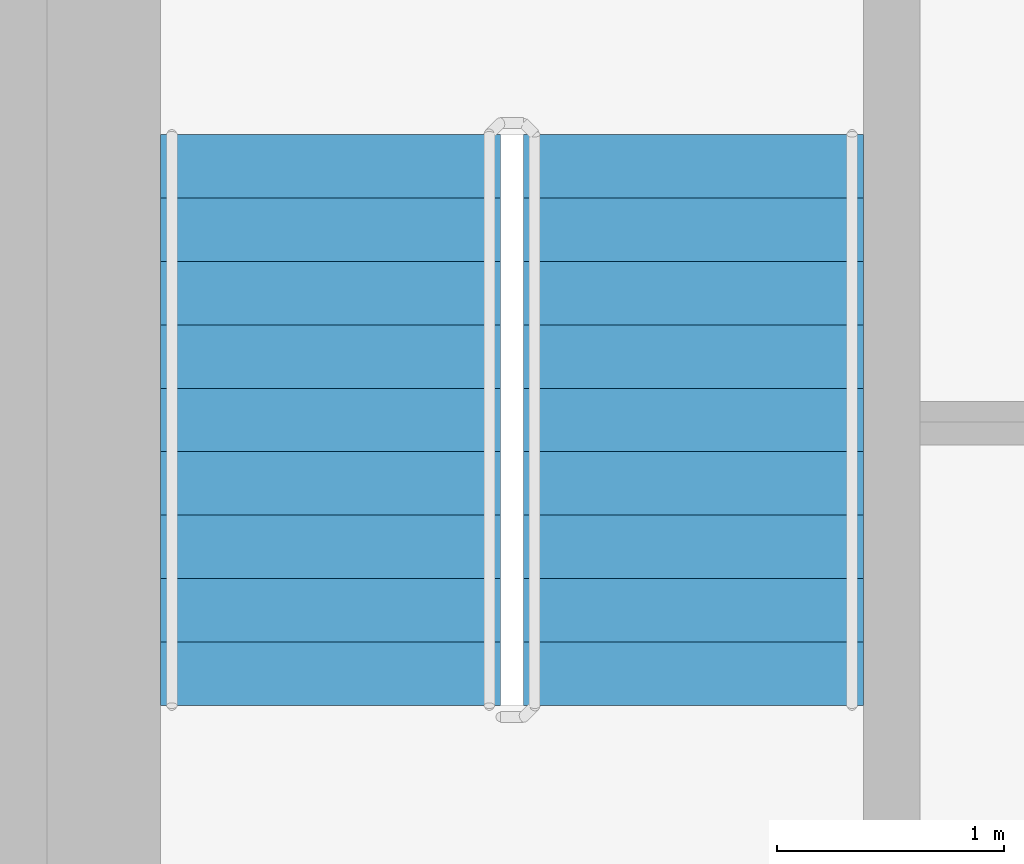
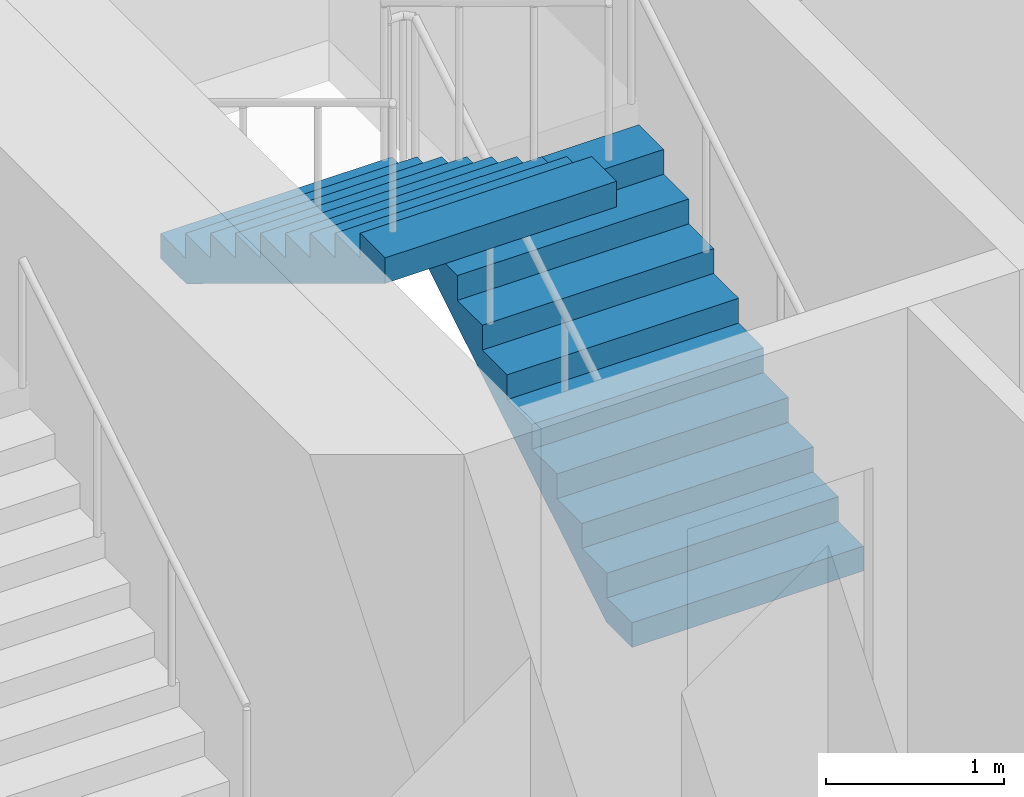
# One storey, part 12 of 18: 2 stair flights, 1 element without a shape of its own.
"""IFC4 building model written with IfcOpenShell, lengths in metres."""

from ifc_helpers import new_model, si_unit, direction, frame, origin, place, context, subcontext, project, spatial, triangles, source, transform, mapped, material, type_object, element, aggregate, save


model = new_model("IFC4")

# Units and contexts
model_context = context("Model", 3, precision=1e-05, world=origin(), true_north=direction((0.0, 1.0)))
body_context = subcontext(model_context, "Body", "Model", "MODEL_VIEW")
ifc_project = project(units=[si_unit("LENGTHUNIT", "METRE"), si_unit("AREAUNIT", "SQUARE_METRE"), si_unit("VOLUMEUNIT", "CUBIC_METRE"), si_unit("PLANEANGLEUNIT", "RADIAN"), si_unit("MASSUNIT", "GRAM", prefix="KILO")], contexts=[model_context])

# Site, building, storey
site_placement = place(None, origin())
site = spatial("IfcSite", under=ifc_project, at=site_placement, CompositionType="ELEMENT")
building_placement = place(site_placement, origin())
building = spatial("IfcBuilding", under=site, at=building_placement, Name="Kilnfold Tower and Market Hall", CompositionType="ELEMENT")
storey_placement = place(building_placement, frame((0.0, 0.0, 249.199951171875)))
storey = spatial("IfcBuildingStorey", under=building, at=storey_placement, Name="L60", CompositionType="ELEMENT", Elevation=249.199951171875)

# Stair, stair flights
ifc_material_1 = material(Name="Concrete C40/50", Category="concrete")
stair_type = type_object("IfcStairType", Name="CORE STAIR 1500", PredefinedType="HALF_TURN_STAIR", material=ifc_material_1)
stair_placement = place(storey_placement, origin())
stair = element("IfcStair", 1, at=stair_placement, inside=storey, type_object=stair_type, Name="L60 ST5", PredefinedType="HALF_TURN_STAIR")
ifc_material_2 = material(Name="Concrete C40/50", Category="concrete")
stair_flight_type = type_object("IfcStairFlightType", Name="CORE STAIR FLIGHT 1500", PredefinedType="STRAIGHT", material=ifc_material_2)
shared_shape = source(origin(), body_context, "Body", "Tessellation", [
    triangles([(0.0, 0.75, 0.0), (0.0, 0.65625, 0.0), (0.0, 0.5625, 0.0), (0.0, 0.46875, 0.0), (0.0, 0.375, 0.0), (0.0, 0.28125, 0.0), (0.0, 0.1875, 0.0), (0.0, 0.09375, 0.0), (0.0, 0.0, 0.0), (0.0, -0.09375, 0.0), (0.0, -0.1875, 0.0), (0.0, -0.28125, 0.0), (0.0, -0.375, 0.0), (0.0, -0.46875, 0.0), (0.0, -0.5625, 0.0), (0.0, -0.65625, 0.0), (0.0, -0.75, 0.0), (0.0, 0.75, 0.169921875), (0.0, 0.65625, 0.169921875), (0.0, 0.5625, 0.169921875), (0.0, 0.46875, 0.169921875), (0.0, 0.375, 0.169921875), (0.0, 0.28125, 0.169921875), (0.0, 0.1875, 0.169921875), (0.0, 0.09375, 0.169921875), (0.0, 0.0, 0.169921875), (0.0, -0.09375, 0.169921875), (0.0, -0.1875, 0.169921875), (0.0, -0.28125, 0.169921875), (0.0, -0.375, 0.169921875), (0.0, -0.46875, 0.169921875), (0.0, -0.5625, 0.169921875), (0.0, -0.65625, 0.169921875), (0.0, -0.75, 0.169921875), (0.280029296875, 0.75, 0.169921875), (0.280029296875, 0.65625, 0.169921875), (0.280029296875, 0.5625, 0.169921875), (0.280029296875, 0.46875, 0.169921875), (0.280029296875, 0.375, 0.169921875), (0.280029296875, 0.28125, 0.169921875), (0.280029296875, 0.1875, 0.169921875), (0.280029296875, 0.09375, 0.169921875), (0.280029296875, 0.0, 0.169921875), (0.280029296875, -0.09375, 0.169921875), (0.280029296875, -0.1875, 0.169921875), (0.280029296875, -0.28125, 0.169921875), (0.280029296875, -0.375, 0.169921875), (0.280029296875, -0.46875, 0.169921875), (0.280029296875, -0.5625, 0.169921875), (0.280029296875, -0.65625, 0.169921875), (0.280029296875, -0.75, 0.169921875), (0.280029296875, 0.75, 0.340087890625), (0.280029296875, 0.65625, 0.340087890625), (0.280029296875, 0.5625, 0.340087890625), (0.280029296875, 0.46875, 0.340087890625), (0.280029296875, 0.375, 0.340087890625), (0.280029296875, 0.28125, 0.340087890625), (0.280029296875, 0.1875, 0.340087890625), (0.280029296875, 0.09375, 0.340087890625), (0.280029296875, 0.0, 0.340087890625), (0.280029296875, -0.09375, 0.340087890625), (0.280029296875, -0.1875, 0.340087890625), (0.280029296875, -0.28125, 0.340087890625), (0.280029296875, -0.375, 0.340087890625), (0.280029296875, -0.46875, 0.340087890625), (0.280029296875, -0.5625, 0.340087890625), (0.280029296875, -0.65625, 0.340087890625), (0.280029296875, -0.75, 0.340087890625), (0.56005859375, 0.75, 0.340087890625), (0.56005859375, 0.65625, 0.340087890625), (0.56005859375, 0.5625, 0.340087890625), (0.56005859375, 0.46875, 0.340087890625), (0.56005859375, 0.375, 0.340087890625), (0.56005859375, 0.28125, 0.340087890625), (0.56005859375, 0.1875, 0.340087890625), (0.56005859375, 0.09375, 0.340087890625), (0.56005859375, 0.0, 0.340087890625), (0.56005859375, -0.09375, 0.340087890625), (0.56005859375, -0.1875, 0.340087890625), (0.56005859375, -0.28125, 0.340087890625), (0.56005859375, -0.375, 0.340087890625), (0.56005859375, -0.46875, 0.340087890625), (0.56005859375, -0.5625, 0.340087890625), (0.56005859375, -0.65625, 0.340087890625), (0.56005859375, -0.75, 0.340087890625), (0.56005859375, 0.75, 0.510009765625), (0.56005859375, 0.65625, 0.510009765625), (0.56005859375, 0.5625, 0.510009765625), (0.56005859375, 0.46875, 0.510009765625), (0.56005859375, 0.375, 0.510009765625), (0.56005859375, 0.28125, 0.510009765625), (0.56005859375, 0.1875, 0.510009765625), (0.56005859375, 0.09375, 0.510009765625), (0.56005859375, 0.0, 0.510009765625), (0.56005859375, -0.09375, 0.510009765625), (0.56005859375, -0.1875, 0.510009765625), (0.56005859375, -0.28125, 0.510009765625), (0.56005859375, -0.375, 0.510009765625), (0.56005859375, -0.46875, 0.510009765625), (0.56005859375, -0.5625, 0.510009765625), (0.56005859375, -0.65625, 0.510009765625), (0.56005859375, -0.75, 0.510009765625), (0.840087890625, 0.75, 0.510009765625), (0.840087890625, 0.65625, 0.510009765625), (0.840087890625, 0.5625, 0.510009765625), (0.840087890625, 0.46875, 0.510009765625), (0.840087890625, 0.375, 0.510009765625), (0.840087890625, 0.28125, 0.510009765625), (0.840087890625, 0.1875, 0.510009765625), (0.840087890625, 0.09375, 0.510009765625), (0.840087890625, 0.0, 0.510009765625), (0.840087890625, -0.09375, 0.510009765625), (0.840087890625, -0.1875, 0.510009765625), (0.840087890625, -0.28125, 0.510009765625), (0.840087890625, -0.375, 0.510009765625), (0.840087890625, -0.46875, 0.510009765625), (0.840087890625, -0.5625, 0.510009765625), (0.840087890625, -0.65625, 0.510009765625), (0.840087890625, -0.75, 0.510009765625), (0.840087890625, 0.75, 0.679931640625), (0.840087890625, 0.65625, 0.679931640625), (0.840087890625, 0.5625, 0.679931640625), (0.840087890625, 0.46875, 0.679931640625), (0.840087890625, 0.375, 0.679931640625), (0.840087890625, 0.28125, 0.679931640625), (0.840087890625, 0.1875, 0.679931640625), (0.840087890625, 0.09375, 0.679931640625), (0.840087890625, 0.0, 0.679931640625), (0.840087890625, -0.09375, 0.679931640625), (0.840087890625, -0.1875, 0.679931640625), (0.840087890625, -0.28125, 0.679931640625), (0.840087890625, -0.375, 0.679931640625), (0.840087890625, -0.46875, 0.679931640625), (0.840087890625, -0.5625, 0.679931640625), (0.840087890625, -0.65625, 0.679931640625), (0.840087890625, -0.75, 0.679931640625), (1.1201171875, 0.75, 0.679931640625), (1.1201171875, 0.65625, 0.679931640625), (1.1201171875, 0.5625, 0.679931640625), (1.1201171875, 0.46875, 0.679931640625), (1.1201171875, 0.375, 0.679931640625), (1.1201171875, 0.28125, 0.679931640625), (1.1201171875, 0.1875, 0.679931640625), (1.1201171875, 0.09375, 0.679931640625), (1.1201171875, 0.0, 0.679931640625), (1.1201171875, -0.09375, 0.679931640625), (1.1201171875, -0.1875, 0.679931640625), (1.1201171875, -0.28125, 0.679931640625), (1.1201171875, -0.375, 0.679931640625), (1.1201171875, -0.46875, 0.679931640625), (1.1201171875, -0.5625, 0.679931640625), (1.1201171875, -0.65625, 0.679931640625), (1.1201171875, -0.75, 0.679931640625), (1.1201171875, 0.75, 0.85009765625), (1.1201171875, 0.65625, 0.85009765625), (1.1201171875, 0.5625, 0.85009765625), (1.1201171875, 0.46875, 0.85009765625), (1.1201171875, 0.375, 0.85009765625), (1.1201171875, 0.28125, 0.85009765625), (1.1201171875, 0.1875, 0.85009765625), (1.1201171875, 0.09375, 0.85009765625), (1.1201171875, 0.0, 0.85009765625), (1.1201171875, -0.09375, 0.85009765625), (1.1201171875, -0.1875, 0.85009765625), (1.1201171875, -0.28125, 0.85009765625), (1.1201171875, -0.375, 0.85009765625), (1.1201171875, -0.46875, 0.85009765625), (1.1201171875, -0.5625, 0.85009765625), (1.1201171875, -0.65625, 0.85009765625), (1.1201171875, -0.75, 0.85009765625), (1.39990234375, 0.75, 0.85009765625), (1.39990234375, 0.65625, 0.85009765625), (1.39990234375, 0.5625, 0.85009765625), (1.39990234375, 0.46875, 0.85009765625), (1.39990234375, 0.375, 0.85009765625), (1.39990234375, 0.28125, 0.85009765625), (1.39990234375, 0.1875, 0.85009765625), (1.39990234375, 0.09375, 0.85009765625), (1.39990234375, 0.0, 0.85009765625), (1.39990234375, -0.09375, 0.85009765625), (1.39990234375, -0.1875, 0.85009765625), (1.39990234375, -0.28125, 0.85009765625), (1.39990234375, -0.375, 0.85009765625), (1.39990234375, -0.46875, 0.85009765625), (1.39990234375, -0.5625, 0.85009765625), (1.39990234375, -0.65625, 0.85009765625), (1.39990234375, -0.75, 0.85009765625), (1.39990234375, 0.75, 1.02001953125), (1.39990234375, 0.65625, 1.02001953125), (1.39990234375, 0.5625, 1.02001953125), (1.39990234375, 0.46875, 1.02001953125), (1.39990234375, 0.375, 1.02001953125), (1.39990234375, 0.28125, 1.02001953125), (1.39990234375, 0.1875, 1.02001953125), (1.39990234375, 0.09375, 1.02001953125), (1.39990234375, 0.0, 1.02001953125), (1.39990234375, -0.09375, 1.02001953125), (1.39990234375, -0.1875, 1.02001953125), (1.39990234375, -0.28125, 1.02001953125), (1.39990234375, -0.375, 1.02001953125), (1.39990234375, -0.46875, 1.02001953125), (1.39990234375, -0.5625, 1.02001953125), (1.39990234375, -0.65625, 1.02001953125), (1.39990234375, -0.75, 1.02001953125), (1.679931640625, 0.75, 1.02001953125), (1.679931640625, 0.65625, 1.02001953125), (1.679931640625, 0.5625, 1.02001953125), (1.679931640625, 0.46875, 1.02001953125), (1.679931640625, 0.375, 1.02001953125), (1.679931640625, 0.28125, 1.02001953125), (1.679931640625, 0.1875, 1.02001953125), (1.679931640625, 0.09375, 1.02001953125), (1.679931640625, 0.0, 1.02001953125), (1.679931640625, -0.09375, 1.02001953125), (1.679931640625, -0.1875, 1.02001953125), (1.679931640625, -0.28125, 1.02001953125), (1.679931640625, -0.375, 1.02001953125), (1.679931640625, -0.46875, 1.02001953125), (1.679931640625, -0.5625, 1.02001953125), (1.679931640625, -0.65625, 1.02001953125), (1.679931640625, -0.75, 1.02001953125), (1.679931640625, 0.75, 1.18994140625), (1.679931640625, 0.65625, 1.18994140625), (1.679931640625, 0.5625, 1.18994140625), (1.679931640625, 0.46875, 1.18994140625), (1.679931640625, 0.375, 1.18994140625), (1.679931640625, 0.28125, 1.18994140625), (1.679931640625, 0.1875, 1.18994140625), (1.679931640625, 0.09375, 1.18994140625), (1.679931640625, 0.0, 1.18994140625), (1.679931640625, -0.09375, 1.18994140625), (1.679931640625, -0.1875, 1.18994140625), (1.679931640625, -0.28125, 1.18994140625), (1.679931640625, -0.375, 1.18994140625), (1.679931640625, -0.46875, 1.18994140625), (1.679931640625, -0.5625, 1.18994140625), (1.679931640625, -0.65625, 1.18994140625), (1.679931640625, -0.75, 1.18994140625), (1.9599609375, 0.75, 1.18994140625), (1.9599609375, 0.65625, 1.18994140625), (1.9599609375, 0.5625, 1.18994140625), (1.9599609375, 0.46875, 1.18994140625), (1.9599609375, 0.375, 1.18994140625), (1.9599609375, 0.28125, 1.18994140625), (1.9599609375, 0.1875, 1.18994140625), (1.9599609375, 0.09375, 1.18994140625), (1.9599609375, 0.0, 1.18994140625), (1.9599609375, -0.09375, 1.18994140625), (1.9599609375, -0.1875, 1.18994140625), (1.9599609375, -0.28125, 1.18994140625), (1.9599609375, -0.375, 1.18994140625), (1.9599609375, -0.46875, 1.18994140625), (1.9599609375, -0.5625, 1.18994140625), (1.9599609375, -0.65625, 1.18994140625), (1.9599609375, -0.75, 1.18994140625), (1.9599609375, 0.75, 1.360107421875), (1.9599609375, 0.65625, 1.360107421875), (1.9599609375, 0.5625, 1.360107421875), (1.9599609375, 0.46875, 1.360107421875), (1.9599609375, 0.375, 1.360107421875), (1.9599609375, 0.28125, 1.360107421875), (1.9599609375, 0.1875, 1.360107421875), (1.9599609375, 0.09375, 1.360107421875), (1.9599609375, 0.0, 1.360107421875), (1.9599609375, -0.09375, 1.360107421875), (1.9599609375, -0.1875, 1.360107421875), (1.9599609375, -0.28125, 1.360107421875), (1.9599609375, -0.375, 1.360107421875), (1.9599609375, -0.46875, 1.360107421875), (1.9599609375, -0.5625, 1.360107421875), (1.9599609375, -0.65625, 1.360107421875), (1.9599609375, -0.75, 1.360107421875), (2.239990234375, 0.75, 1.360107421875), (2.239990234375, 0.65625, 1.360107421875), (2.239990234375, 0.5625, 1.360107421875), (2.239990234375, 0.46875, 1.360107421875), (2.239990234375, 0.375, 1.360107421875), (2.239990234375, 0.28125, 1.360107421875), (2.239990234375, 0.1875, 1.360107421875), (2.239990234375, 0.09375, 1.360107421875), (2.239990234375, 0.0, 1.360107421875), (2.239990234375, -0.09375, 1.360107421875), (2.239990234375, -0.1875, 1.360107421875), (2.239990234375, -0.28125, 1.360107421875), (2.239990234375, -0.375, 1.360107421875), (2.239990234375, -0.46875, 1.360107421875), (2.239990234375, -0.5625, 1.360107421875), (2.239990234375, -0.65625, 1.360107421875), (2.239990234375, -0.75, 1.360107421875), (2.239990234375, 0.75, 1.530029296875), (2.239990234375, 0.65625, 1.530029296875), (2.239990234375, 0.5625, 1.530029296875), (2.239990234375, 0.46875, 1.530029296875), (2.239990234375, 0.375, 1.530029296875), (2.239990234375, 0.28125, 1.530029296875), (2.239990234375, 0.1875, 1.530029296875), (2.239990234375, 0.09375, 1.530029296875), (2.239990234375, 0.0, 1.530029296875), (2.239990234375, -0.09375, 1.530029296875), (2.239990234375, -0.1875, 1.530029296875), (2.239990234375, -0.28125, 1.530029296875), (2.239990234375, -0.375, 1.530029296875), (2.239990234375, -0.46875, 1.530029296875), (2.239990234375, -0.5625, 1.530029296875), (2.239990234375, -0.65625, 1.530029296875), (2.239990234375, -0.75, 1.530029296875), (2.52001953125, 0.75, 1.530029296875), (2.52001953125, 0.65625, 1.530029296875), (2.52001953125, 0.5625, 1.530029296875), (2.52001953125, 0.46875, 1.530029296875), (2.52001953125, 0.375, 1.530029296875), (2.52001953125, 0.28125, 1.530029296875), (2.52001953125, 0.1875, 1.530029296875), (2.52001953125, 0.09375, 1.530029296875), (2.52001953125, 0.0, 1.530029296875), (2.52001953125, -0.09375, 1.530029296875), (2.52001953125, -0.1875, 1.530029296875), (2.52001953125, -0.28125, 1.530029296875), (2.52001953125, -0.375, 1.530029296875), (2.52001953125, -0.46875, 1.530029296875), (2.52001953125, -0.5625, 1.530029296875), (2.52001953125, -0.65625, 1.530029296875), (2.52001953125, -0.75, 1.530029296875), (2.52001953125, 0.75, 1.354736328125), (2.52001953125, 0.65625, 1.354736328125), (2.52001953125, 0.5625, 1.354736328125), (2.52001953125, 0.46875, 1.354736328125), (2.52001953125, 0.375, 1.354736328125), (2.52001953125, 0.28125, 1.354736328125), (2.52001953125, 0.1875, 1.354736328125), (2.52001953125, 0.09375, 1.354736328125), (2.52001953125, 0.0, 1.354736328125), (2.52001953125, -0.09375, 1.354736328125), (2.52001953125, -0.1875, 1.354736328125), (2.52001953125, -0.28125, 1.354736328125), (2.52001953125, -0.375, 1.354736328125), (2.52001953125, -0.46875, 1.354736328125), (2.52001953125, -0.5625, 1.354736328125), (2.52001953125, -0.65625, 1.354736328125), (2.52001953125, -0.75, 1.354736328125), (0.288818359375, 0.75, 0.0), (0.288818359375, 0.65625, 0.0), (0.288818359375, 0.5625, 0.0), (0.288818359375, 0.46875, 0.0), (0.288818359375, 0.375, 0.0), (0.288818359375, 0.28125, 0.0), (0.288818359375, 0.1875, 0.0), (0.288818359375, 0.09375, 0.0), (0.288818359375, 0.0, 0.0), (0.288818359375, -0.09375, 0.0), (0.288818359375, -0.1875, 0.0), (0.288818359375, -0.28125, 0.0), (0.288818359375, -0.375, 0.0), (0.288818359375, -0.46875, 0.0), (0.288818359375, -0.5625, 0.0), (0.288818359375, -0.65625, 0.0), (0.288818359375, -0.75, 0.0)], [[1, 324, 341], [17, 357, 340], [324, 290, 307], [340, 323, 306], [324, 273, 290], [340, 306, 289], [324, 256, 273], [340, 289, 272], [324, 239, 256], [340, 272, 255], [239, 205, 222], [255, 238, 221], [324, 205, 239], [340, 255, 221], [205, 171, 188], [221, 204, 187], [324, 171, 205], [340, 221, 187], [171, 137, 154], [187, 170, 153], [324, 137, 171], [340, 187, 153], [137, 103, 120], [153, 136, 119], [324, 103, 137], [340, 153, 119], [103, 69, 86], [119, 102, 85], [324, 69, 103], [340, 119, 85], [69, 35, 52], [85, 68, 51], [324, 35, 69], [340, 85, 51], [1, 35, 324], [17, 340, 51], [35, 1, 18], [51, 34, 17], [1, 19, 18], [1, 2, 19], [2, 20, 19], [2, 3, 20], [3, 21, 20], [3, 4, 21], [4, 22, 21], [4, 5, 22], [5, 23, 22], [5, 6, 23], [6, 24, 23], [6, 7, 24], [7, 25, 24], [7, 8, 25], [8, 26, 25], [8, 9, 26], [9, 27, 26], [9, 10, 27], [10, 28, 27], [10, 11, 28], [11, 29, 28], [11, 12, 29], [12, 30, 29], [12, 13, 30], [13, 31, 30], [13, 14, 31], [14, 32, 31], [14, 15, 32], [15, 33, 32], [15, 16, 33], [16, 34, 33], [16, 17, 34], [18, 36, 35], [18, 19, 36], [19, 37, 36], [19, 20, 37], [20, 38, 37], [20, 21, 38], [21, 39, 38], [21, 22, 39], [22, 40, 39], [22, 23, 40], [23, 41, 40], [23, 24, 41], [24, 42, 41], [24, 25, 42], [25, 43, 42], [25, 26, 43], [26, 44, 43], [26, 27, 44], [27, 45, 44], [27, 28, 45], [28, 46, 45], [28, 29, 46], [29, 47, 46], [29, 30, 47], [30, 48, 47], [30, 31, 48], [31, 49, 48], [31, 32, 49], [32, 50, 49], [32, 33, 50], [33, 51, 50], [33, 34, 51], [35, 53, 52], [35, 36, 53], [36, 54, 53], [36, 37, 54], [37, 55, 54], [37, 38, 55], [38, 56, 55], [38, 39, 56], [39, 57, 56], [39, 40, 57], [40, 58, 57], [40, 41, 58], [41, 59, 58], [41, 42, 59], [42, 60, 59], [42, 43, 60], [43, 61, 60], [43, 44, 61], [44, 62, 61], [44, 45, 62], [45, 63, 62], [45, 46, 63], [46, 64, 63], [46, 47, 64], [47, 65, 64], [47, 48, 65], [48, 66, 65], [48, 49, 66], [49, 67, 66], [49, 50, 67], [50, 68, 67], [50, 51, 68], [52, 70, 69], [52, 53, 70], [53, 71, 70], [53, 54, 71], [54, 72, 71], [54, 55, 72], [55, 73, 72], [55, 56, 73], [56, 74, 73], [56, 57, 74], [57, 75, 74], [57, 58, 75], [58, 76, 75], [58, 59, 76], [59, 77, 76], [59, 60, 77], [60, 78, 77], [60, 61, 78], [61, 79, 78], [61, 62, 79], [62, 80, 79], [62, 63, 80], [63, 81, 80], [63, 64, 81], [64, 82, 81], [64, 65, 82], [65, 83, 82], [65, 66, 83], [66, 84, 83], [66, 67, 84], [67, 85, 84], [67, 68, 85], [69, 87, 86], [69, 70, 87], [70, 88, 87], [70, 71, 88], [71, 89, 88], [71, 72, 89], [72, 90, 89], [72, 73, 90], [73, 91, 90], [73, 74, 91], [74, 92, 91], [74, 75, 92], [75, 93, 92], [75, 76, 93], [76, 94, 93], [76, 77, 94], [77, 95, 94], [77, 78, 95], [78, 96, 95], [78, 79, 96], [79, 97, 96], [79, 80, 97], [80, 98, 97], [80, 81, 98], [81, 99, 98], [81, 82, 99], [82, 100, 99], [82, 83, 100], [83, 101, 100], [83, 84, 101], [84, 102, 101], [84, 85, 102], [86, 104, 103], [86, 87, 104], [87, 105, 104], [87, 88, 105], [88, 106, 105], [88, 89, 106], [89, 107, 106], [89, 90, 107], [90, 108, 107], [90, 91, 108], [91, 109, 108], [91, 92, 109], [92, 110, 109], [92, 93, 110], [93, 111, 110], [93, 94, 111], [94, 112, 111], [94, 95, 112], [95, 113, 112], [95, 96, 113], [96, 114, 113], [96, 97, 114], [97, 115, 114], [97, 98, 115], [98, 116, 115], [98, 99, 116], [99, 117, 116], [99, 100, 117], [100, 118, 117], [100, 101, 118], [101, 119, 118], [101, 102, 119], [103, 121, 120], [103, 104, 121], [104, 122, 121], [104, 105, 122], [105, 123, 122], [105, 106, 123], [106, 124, 123], [106, 107, 124], [107, 125, 124], [107, 108, 125], [108, 126, 125], [108, 109, 126], [109, 127, 126], [109, 110, 127], [110, 128, 127], [110, 111, 128], [111, 129, 128], [111, 112, 129], [112, 130, 129], [112, 113, 130], [113, 131, 130], [113, 114, 131], [114, 132, 131], [114, 115, 132], [115, 133, 132], [115, 116, 133], [116, 134, 133], [116, 117, 134], [117, 135, 134], [117, 118, 135], [118, 136, 135], [118, 119, 136], [120, 138, 137], [120, 121, 138], [121, 139, 138], [121, 122, 139], [122, 140, 139], [122, 123, 140], [123, 141, 140], [123, 124, 141], [124, 142, 141], [124, 125, 142], [125, 143, 142], [125, 126, 143], [126, 144, 143], [126, 127, 144], [127, 145, 144], [127, 128, 145], [128, 146, 145], [128, 129, 146], [129, 147, 146], [129, 130, 147], [130, 148, 147], [130, 131, 148], [131, 149, 148], [131, 132, 149], [132, 150, 149], [132, 133, 150], [133, 151, 150], [133, 134, 151], [134, 152, 151], [134, 135, 152], [135, 153, 152], [135, 136, 153], [137, 155, 154], [137, 138, 155], [138, 156, 155], [138, 139, 156], [139, 157, 156], [139, 140, 157], [140, 158, 157], [140, 141, 158], [141, 159, 158], [141, 142, 159], [142, 160, 159], [142, 143, 160], [143, 161, 160], [143, 144, 161], [144, 162, 161], [144, 145, 162], [145, 163, 162], [145, 146, 163], [146, 164, 163], [146, 147, 164], [147, 165, 164], [147, 148, 165], [148, 166, 165], [148, 149, 166], [149, 167, 166], [149, 150, 167], [150, 168, 167], [150, 151, 168], [151, 169, 168], [151, 152, 169], [152, 170, 169], [152, 153, 170], [154, 172, 171], [154, 155, 172], [155, 173, 172], [155, 156, 173], [156, 174, 173], [156, 157, 174], [157, 175, 174], [157, 158, 175], [158, 176, 175], [158, 159, 176], [159, 177, 176], [159, 160, 177], [160, 178, 177], [160, 161, 178], [161, 179, 178], [161, 162, 179], [162, 180, 179], [162, 163, 180], [163, 181, 180], [163, 164, 181], [164, 182, 181], [164, 165, 182], [165, 183, 182], [165, 166, 183], [166, 184, 183], [166, 167, 184], [167, 185, 184], [167, 168, 185], [168, 186, 185], [168, 169, 186], [169, 187, 186], [169, 170, 187], [171, 189, 188], [171, 172, 189], [172, 190, 189], [172, 173, 190], [173, 191, 190], [173, 174, 191], [174, 192, 191], [174, 175, 192], [175, 193, 192], [175, 176, 193], [176, 194, 193], [176, 177, 194], [177, 195, 194], [177, 178, 195], [178, 196, 195], [178, 179, 196], [179, 197, 196], [179, 180, 197], [180, 198, 197], [180, 181, 198], [181, 199, 198], [181, 182, 199], [182, 200, 199], [182, 183, 200], [183, 201, 200], [183, 184, 201], [184, 202, 201], [184, 185, 202], [185, 203, 202], [185, 186, 203], [186, 204, 203], [186, 187, 204], [188, 206, 205], [188, 189, 206], [189, 207, 206], [189, 190, 207], [190, 208, 207], [190, 191, 208], [191, 209, 208], [191, 192, 209], [192, 210, 209], [192, 193, 210], [193, 211, 210], [193, 194, 211], [194, 212, 211], [194, 195, 212], [195, 213, 212], [195, 196, 213], [196, 214, 213], [196, 197, 214], [197, 215, 214], [197, 198, 215], [198, 216, 215], [198, 199, 216], [199, 217, 216], [199, 200, 217], [200, 218, 217], [200, 201, 218], [201, 219, 218], [201, 202, 219], [202, 220, 219], [202, 203, 220], [203, 221, 220], [203, 204, 221], [205, 223, 222], [205, 206, 223], [206, 224, 223], [206, 207, 224], [207, 225, 224], [207, 208, 225], [208, 226, 225], [208, 209, 226], [209, 227, 226], [209, 210, 227], [210, 228, 227], [210, 211, 228], [211, 229, 228], [211, 212, 229], [212, 230, 229], [212, 213, 230], [213, 231, 230], [213, 214, 231], [214, 232, 231], [214, 215, 232], [215, 233, 232], [215, 216, 233], [216, 234, 233], [216, 217, 234], [217, 235, 234], [217, 218, 235], [218, 236, 235], [218, 219, 236], [219, 237, 236], [219, 220, 237], [220, 238, 237], [220, 221, 238], [222, 240, 239], [222, 223, 240], [223, 241, 240], [223, 224, 241], [224, 242, 241], [224, 225, 242], [225, 243, 242], [225, 226, 243], [226, 244, 243], [226, 227, 244], [227, 245, 244], [227, 228, 245], [228, 246, 245], [228, 229, 246], [229, 247, 246], [229, 230, 247], [230, 248, 247], [230, 231, 248], [231, 249, 248], [231, 232, 249], [232, 250, 249], [232, 233, 250], [233, 251, 250], [233, 234, 251], [234, 252, 251], [234, 235, 252], [235, 253, 252], [235, 236, 253], [236, 254, 253], [236, 237, 254], [237, 255, 254], [237, 238, 255], [239, 257, 256], [239, 240, 257], [240, 258, 257], [240, 241, 258], [241, 259, 258], [241, 242, 259], [242, 260, 259], [242, 243, 260], [243, 261, 260], [243, 244, 261], [244, 262, 261], [244, 245, 262], [245, 263, 262], [245, 246, 263], [246, 264, 263], [246, 247, 264], [247, 265, 264], [247, 248, 265], [248, 266, 265], [248, 249, 266], [249, 267, 266], [249, 250, 267], [250, 268, 267], [250, 251, 268], [251, 269, 268], [251, 252, 269], [252, 270, 269], [252, 253, 270], [253, 271, 270], [253, 254, 271], [254, 272, 271], [254, 255, 272], [256, 274, 273], [256, 257, 274], [257, 275, 274], [257, 258, 275], [258, 276, 275], [258, 259, 276], [259, 277, 276], [259, 260, 277], [260, 278, 277], [260, 261, 278], [261, 279, 278], [261, 262, 279], [262, 280, 279], [262, 263, 280], [263, 281, 280], [263, 264, 281], [264, 282, 281], [264, 265, 282], [265, 283, 282], [265, 266, 283], [266, 284, 283], [266, 267, 284], [267, 285, 284], [267, 268, 285], [268, 286, 285], [268, 269, 286], [269, 287, 286], [269, 270, 287], [270, 288, 287], [270, 271, 288], [271, 289, 288], [271, 272, 289], [273, 291, 290], [273, 274, 291], [274, 292, 291], [274, 275, 292], [275, 293, 292], [275, 276, 293], [276, 294, 293], [276, 277, 294], [277, 295, 294], [277, 278, 295], [278, 296, 295], [278, 279, 296], [279, 297, 296], [279, 280, 297], [280, 298, 297], [280, 281, 298], [281, 299, 298], [281, 282, 299], [282, 300, 299], [282, 283, 300], [283, 301, 300], [283, 284, 301], [284, 302, 301], [284, 285, 302], [285, 303, 302], [285, 286, 303], [286, 304, 303], [286, 287, 304], [287, 305, 304], [287, 288, 305], [288, 306, 305], [288, 289, 306], [290, 308, 307], [290, 291, 308], [291, 309, 308], [291, 292, 309], [292, 310, 309], [292, 293, 310], [293, 311, 310], [293, 294, 311], [294, 312, 311], [294, 295, 312], [295, 313, 312], [295, 296, 313], [296, 314, 313], [296, 297, 314], [297, 315, 314], [297, 298, 315], [298, 316, 315], [298, 299, 316], [299, 317, 316], [299, 300, 317], [300, 318, 317], [300, 301, 318], [301, 319, 318], [301, 302, 319], [302, 320, 319], [302, 303, 320], [303, 321, 320], [303, 304, 321], [304, 322, 321], [304, 305, 322], [305, 323, 322], [305, 306, 323], [307, 325, 324], [307, 308, 325], [308, 326, 325], [308, 309, 326], [309, 327, 326], [309, 310, 327], [310, 328, 327], [310, 311, 328], [311, 329, 328], [311, 312, 329], [312, 330, 329], [312, 313, 330], [313, 331, 330], [313, 314, 331], [314, 332, 331], [314, 315, 332], [315, 333, 332], [315, 316, 333], [316, 334, 333], [316, 317, 334], [317, 335, 334], [317, 318, 335], [318, 336, 335], [318, 319, 336], [319, 337, 336], [319, 320, 337], [320, 338, 337], [320, 321, 338], [321, 339, 338], [321, 322, 339], [322, 340, 339], [322, 323, 340], [324, 342, 341], [324, 325, 342], [325, 343, 342], [325, 326, 343], [326, 344, 343], [326, 327, 344], [327, 345, 344], [327, 328, 345], [328, 346, 345], [328, 329, 346], [329, 347, 346], [329, 330, 347], [330, 348, 347], [330, 331, 348], [331, 349, 348], [331, 332, 349], [332, 350, 349], [332, 333, 350], [333, 351, 350], [333, 334, 351], [334, 352, 351], [334, 335, 352], [335, 353, 352], [335, 336, 353], [336, 354, 353], [336, 337, 354], [337, 355, 354], [337, 338, 355], [338, 356, 355], [338, 339, 356], [339, 357, 356], [339, 340, 357], [341, 2, 1], [341, 342, 2], [342, 3, 2], [342, 343, 3], [343, 4, 3], [343, 344, 4], [344, 5, 4], [344, 345, 5], [345, 6, 5], [345, 346, 6], [346, 7, 6], [346, 347, 7], [347, 8, 7], [347, 348, 8], [348, 9, 8], [348, 349, 9], [349, 10, 9], [349, 350, 10], [350, 11, 10], [350, 351, 11], [351, 12, 11], [351, 352, 12], [352, 13, 12], [352, 353, 13], [353, 14, 13], [353, 354, 14], [354, 15, 14], [354, 355, 15], [355, 16, 15], [355, 356, 16], [356, 17, 16], [356, 357, 17]], closed=True),
])
stair_flight_1_placement = place(storey_placement, frame((20.699951171875, 11.5, 0.0), z_axis=(0.0, 0.0, 1.0), x_axis=(0.0, 1.0, 0.0)))
stair_flight_1 = element("IfcStairFlight", 2, at=stair_flight_1_placement, type_object=stair_flight_type, Name="ST5 flight 1", NumberOfRisers=10, NumberOfTreads=9, PredefinedType="STRAIGHT", RiserHeight=0.17, TreadLength=0.28, context=body_context, shape_type="MappedRepresentation", body=[
    mapped(shared_shape, transform((0.0, 0.0, 0.0))),
])
stair_flight_2_placement = place(storey_placement, frame((19.10009765625, 14.02001953125, 1.699951171875), z_axis=(0.0, 0.0, 1.0), x_axis=(0.0, -1.0, 0.0)))
stair_flight_2 = element("IfcStairFlight", 3, at=stair_flight_2_placement, type_object=stair_flight_type, Name="ST5 flight 2", NumberOfRisers=10, NumberOfTreads=9, PredefinedType="STRAIGHT", RiserHeight=0.17, TreadLength=0.28, context=body_context, shape_type="MappedRepresentation", body=[
    mapped(shared_shape, transform((0.0, 0.0, 0.0))),
])
aggregate(stair, [stair_flight_1, stair_flight_2])

save(model, "model.ifc")
